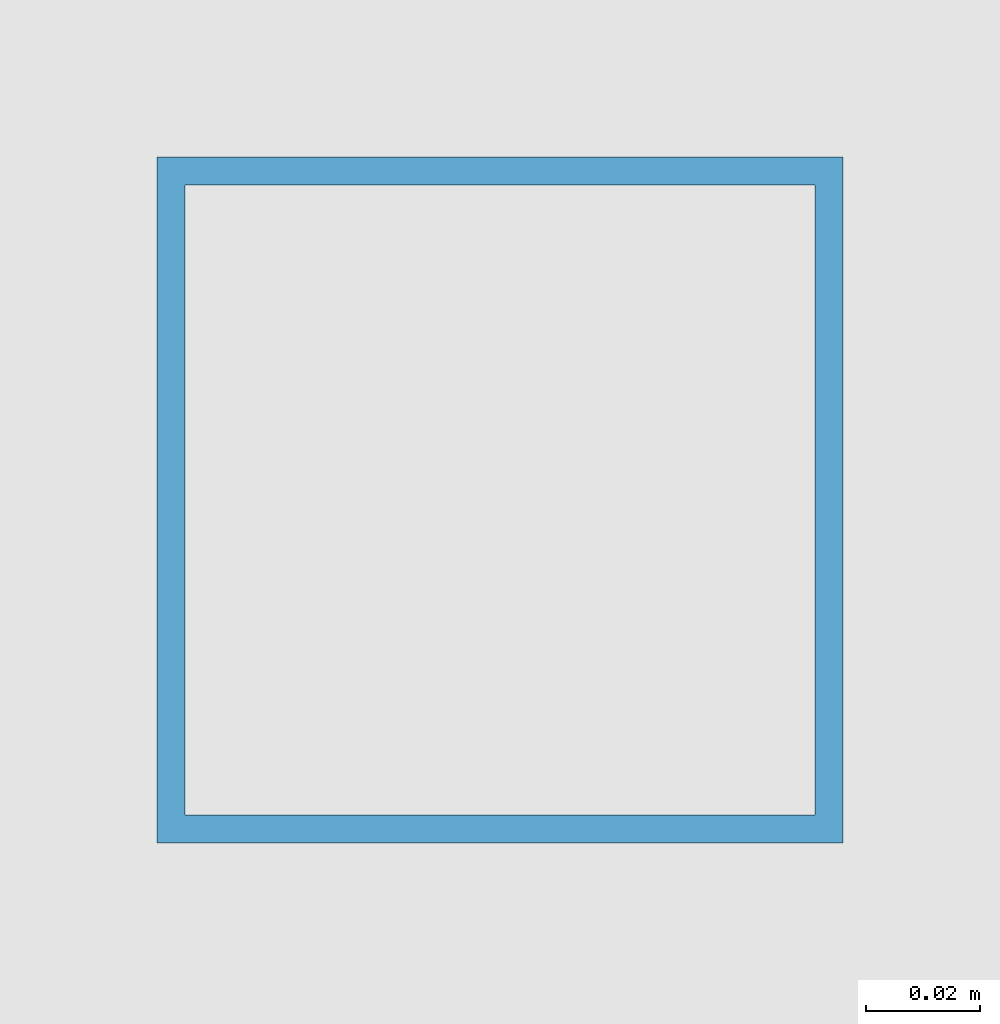
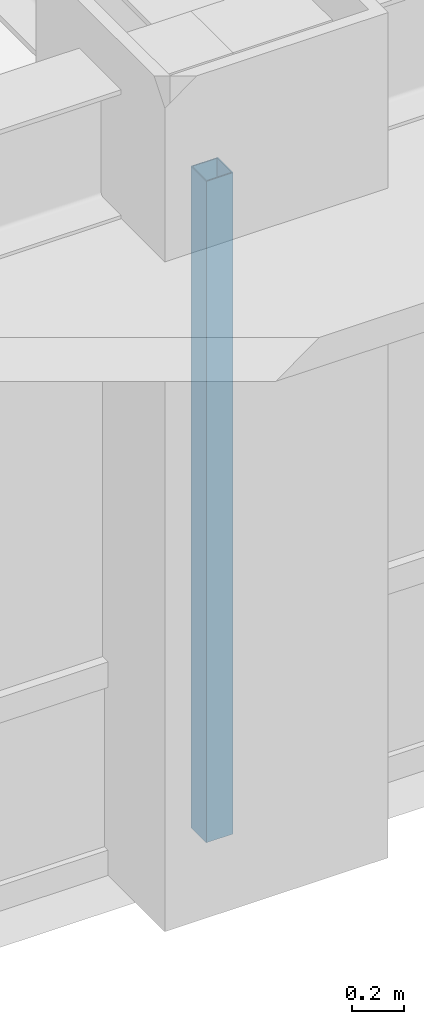
# One storey, part 4 of 29: 1 member, 1 element without a shape of its own.
"""IFC4 building model written with IfcOpenShell, lengths in metres."""

import ifcopenshell
import ifcopenshell.guid

model = None  # the IFC model being written
_history = None  # IfcOwnerHistory: only IFC2X3 demands one
_inside = {}  # id of a spatial element -> (the spatial element, [elements in it])
_under = {}  # id of a project, library or spatial element -> (it, [spatial elements below it])
_declared = {}  # id of a project -> (the project, [libraries it declares])
_typed = {}  # id of a type object -> (the type object, [elements of that type])
_made_of = {}  # id of a material, layer set ... -> (it, [elements and type objects made of it])


def new_model(schema):
    """Start an empty IFC model of exactly this schema.

    Asked for "IFC4X3", IfcOpenShell would pick the latest addendum, in which some entities
    have other attributes; the version numbers below select the first issue.
    IFC2X3 requires an IfcOwnerHistory on every rooted entity: one is made here for all.
    """
    global model, _history
    if schema == "IFC4X3":
        model = ifcopenshell.file(schema_version=(4, 3, 0, 0))
    else:
        model = ifcopenshell.file(schema=schema)
    _inside.clear()
    _under.clear()
    _declared.clear()
    _typed.clear()
    _made_of.clear()
    _history = None
    if model.schema == "IFC2X3":
        org = make("IfcOrganization", Name="unknown")
        user = make(
            "IfcPersonAndOrganization",
            ThePerson=make("IfcPerson", FamilyName="unknown"),
            TheOrganization=org,
        )
        app = make(
            "IfcApplication",
            ApplicationDeveloper=org,
            Version="unknown",
            ApplicationFullName="unknown",
            ApplicationIdentifier="unknown",
        )
        _history = make(
            "IfcOwnerHistory",
            OwningUser=user,
            OwningApplication=app,
            ChangeAction="ADDED",
            CreationDate=0,
        )
    return model


def make(cls, **values):
    """One entity of the class cls with the attributes given. An attribute that is None is left unset."""
    return model.create_entity(
        cls, **{name: value for name, value in values.items() if value is not None}
    )


def rooted(cls, **values):
    """An entity with a GlobalId (a new one), such as an element, a storey or a relation."""
    return make(cls, GlobalId=ifcopenshell.guid.new(), OwnerHistory=_history, **values)


def si_unit(unit_type, name, prefix=None):
    """IfcSIUnit, for example si_unit("LENGTHUNIT", "METRE", prefix="MILLI")."""
    return make("IfcSIUnit", UnitType=unit_type, Prefix=prefix, Name=name)


def assignment(units):
    """IfcUnitAssignment: the units of a project."""
    return None if units is None else make("IfcUnitAssignment", Units=units)


def point(xyz):
    """IfcCartesianPoint."""
    return None if xyz is None else make("IfcCartesianPoint", Coordinates=xyz)


def direction(xyz):
    """IfcDirection."""
    return None if xyz is None else make("IfcDirection", DirectionRatios=xyz)


def frame(location, z_axis=None, x_axis=None):
    """IfcAxis2Placement3D, a coordinate frame: its origin and axes. An axis left out is left unset."""
    return make(
        "IfcAxis2Placement3D",
        Location=point(location),
        Axis=direction(z_axis),
        RefDirection=direction(x_axis),
    )


def frame_2d(location, x_axis=None):
    """IfcAxis2Placement2D, a coordinate frame in the plane: its origin and x axis."""
    return make(
        "IfcAxis2Placement2D", Location=point(location), RefDirection=direction(x_axis)
    )


def origin():
    """The frame at (0, 0, 0) with its axes left unset."""
    return frame((0.0, 0.0, 0.0))


def origin_2d():
    """The frame at (0, 0) in the plane with its x axis left unset."""
    return frame_2d((0.0, 0.0))


def place(relative_to, where):
    """IfcLocalPlacement: puts the frame where relative to a parent placement (None: the world)."""
    return make(
        "IfcLocalPlacement", PlacementRelTo=relative_to, RelativePlacement=where
    )


def context(
    kind, dimensions, precision=None, world=None, true_north=None, identifier=None
):
    """IfcGeometricRepresentationContext, for example the 3D "Model" context."""
    return make(
        "IfcGeometricRepresentationContext",
        ContextIdentifier=identifier,
        ContextType=kind,
        CoordinateSpaceDimension=dimensions,
        Precision=precision,
        WorldCoordinateSystem=world,
        TrueNorth=true_north,
    )


def subcontext(parent, identifier, kind, view, scale=None):
    """IfcGeometricRepresentationSubContext, for example "Body" below "Model"."""
    return make(
        "IfcGeometricRepresentationSubContext",
        ContextIdentifier=identifier,
        ContextType=kind,
        ParentContext=parent,
        TargetScale=scale,
        TargetView=view,
    )


def project(units=None, contexts=None):
    """IfcProject with its units and contexts."""
    return rooted(
        "IfcProject",
        Name="project",
        RepresentationContexts=contexts,
        UnitsInContext=assignment(units),
    )


def spatial(cls, under=None, at=None, **own):
    """A site, building, storey or space (cls), placed at a placement, below another one or the project."""
    s = rooted(cls, ObjectPlacement=at, **own)
    if under is not None:
        _under.setdefault(under.id(), (under, []))[1].append(s)
    return s


def profile(cls, at=None, kind="AREA", **sizes):
    """A parametric profile (cls). Its sizes go by their IFC names, for example OverallWidth=200.0."""
    return make(cls, ProfileType=kind, Position=at, **sizes)


def hollow_rectangle(**sizes):
    """IfcRectangleHollowProfileDef."""
    return profile("IfcRectangleHollowProfileDef", **sizes)


def extrude(swept, where, along, depth):
    """IfcExtrudedAreaSolid: the profile swept, set in the frame where, extruded along a direction by depth."""
    return make(
        "IfcExtrudedAreaSolid",
        SweptArea=swept,
        Position=where,
        ExtrudedDirection=direction(along),
        Depth=depth,
    )


def shape(context_of_items, identifier, shape_type, items):
    """IfcShapeRepresentation: the items that make up one representation, for example the "Body"."""
    return make(
        "IfcShapeRepresentation",
        ContextOfItems=context_of_items,
        RepresentationIdentifier=identifier,
        RepresentationType=shape_type,
        Items=items,
    )


def source(mapping_origin, context_of_items, identifier, shape_type, items):
    """IfcRepresentationMap: a shape defined once, which mapped items show again and again."""
    return make(
        "IfcRepresentationMap",
        MappingOrigin=mapping_origin,
        MappedRepresentation=shape(context_of_items, identifier, shape_type, items),
    )


def transform(
    local_origin,
    x_axis=None,
    y_axis=None,
    z_axis=None,
    scale=None,
    scale2=None,
    scale3=None,
    uniform=True,
):
    """IfcCartesianTransformationOperator3D, or its non-uniform kind. x_axis, y_axis, z_axis: its Axis1, 2, 3."""
    if uniform:
        return make(
            "IfcCartesianTransformationOperator3D",
            Axis1=direction(x_axis),
            Axis2=direction(y_axis),
            LocalOrigin=point(local_origin),
            Scale=scale,
            Axis3=direction(z_axis),
        )
    return make(
        "IfcCartesianTransformationOperator3DnonUniform",
        Axis1=direction(x_axis),
        Axis2=direction(y_axis),
        LocalOrigin=point(local_origin),
        Scale=scale,
        Axis3=direction(z_axis),
        Scale2=scale2,
        Scale3=scale3,
    )


def mapped(mapping_source, mapping_target):
    """IfcMappedItem: shows the shape of a source again, moved by a transform."""
    return make(
        "IfcMappedItem", MappingSource=mapping_source, MappingTarget=mapping_target
    )


def material(Name=None, Category=None):
    """IfcMaterial."""
    return make("IfcMaterial", Name=Name, Category=Category)


def material_profile(
    of_material, cross_section, Name=None, Category=None, Priority=None
):
    """IfcMaterialProfile: a cross section and its material."""
    return make(
        "IfcMaterialProfile",
        Name=Name,
        Material=of_material,
        Profile=cross_section,
        Priority=Priority,
        Category=Category,
    )


def profile_set(profiles, Name=None, composite=None):
    """IfcMaterialProfileSet."""
    return make(
        "IfcMaterialProfileSet",
        Name=Name,
        MaterialProfiles=profiles,
        CompositeProfile=composite,
    )


def made_of(thing, what):
    """Note that an element or type object is made of a material, layer set ...; save() writes the relation."""
    if what is not None:
        _made_of.setdefault(what.id(), (what, []))[1].append(thing)
    return thing


def type_object(cls, material=None, **own):
    """A type object (cls), such as IfcWallType, which elements share."""
    return made_of(rooted(cls, **own), material)


def element(
    cls,
    number,
    at=None,
    inside=None,
    cuts=None,
    type_object=None,
    material=None,
    context=None,
    identifier="Body",
    shape_type=None,
    held_by="IfcProductDefinitionShape",
    body=None,
    shapes=None,
    **own,
):
    """One element of the class cls, such as IfcWall. Its Tag is "e" and its number.

    at: its placement. inside: the storey or other place that contains it. cuts: it is an
    opening in that element (IfcRelVoidsElement). A single representation is given by context,
    identifier, shape_type and body (its items); several are given by shapes. held_by: the class
    of the entity that holds the representations. save() writes the other relations.
    """
    e = rooted(cls, Tag="e%d" % number, ObjectPlacement=at, **own)
    if body is not None:
        shapes = [shape(context, identifier, shape_type, body)]
    if shapes is not None:
        e.Representation = make(held_by, Representations=shapes)
    if inside is not None:
        _inside.setdefault(inside.id(), (inside, []))[1].append(e)
    if cuts is not None:
        rooted(
            "IfcRelVoidsElement", RelatingBuildingElement=cuts, RelatedOpeningElement=e
        )
    if type_object is not None:
        _typed.setdefault(type_object.id(), (type_object, []))[1].append(e)
    return made_of(e, material)


def aggregate(whole, parts):
    """IfcRelAggregates: a whole, such as a stair, and the parts it consists of."""
    return rooted("IfcRelAggregates", RelatingObject=whole, RelatedObjects=parts)


def save(model, path):
    """Write the relations noted so far, then the file.

    IfcRelAggregates (storeys below a building ...), IfcRelContainedInSpatialStructure (elements
    in a storey), IfcRelDefinesByType, IfcRelAssociatesMaterial and IfcRelDeclares: one each for
    every whole, place, type object, material and project.
    """
    for whole, parts in _under.values():
        aggregate(whole, parts)
    for where, things in _inside.values():
        rooted(
            "IfcRelContainedInSpatialStructure",
            RelatedElements=things,
            RelatingStructure=where,
        )
    for kind, things in _typed.values():
        rooted("IfcRelDefinesByType", RelatedObjects=things, RelatingType=kind)
    for what, things in _made_of.values():
        rooted("IfcRelAssociatesMaterial", RelatedObjects=things, RelatingMaterial=what)
    for by, libraries in _declared.values():
        rooted("IfcRelDeclares", RelatingContext=by, RelatedDefinitions=libraries)
    model.write(path)


model = new_model("IFC4")

# Units and contexts
model_context = context("Model", 3, precision=1e-05, world=origin(), true_north=direction((0.0, 1.0)))
body_context = subcontext(model_context, "Body", "Model", "MODEL_VIEW")
ifc_project = project(units=[si_unit("LENGTHUNIT", "METRE"), si_unit("AREAUNIT", "SQUARE_METRE"), si_unit("VOLUMEUNIT", "CUBIC_METRE"), si_unit("PLANEANGLEUNIT", "RADIAN"), si_unit("MASSUNIT", "GRAM", prefix="KILO")], contexts=[model_context])

# Site, building, storey
site_placement = place(None, origin())
site = spatial("IfcSite", under=ifc_project, at=site_placement, CompositionType="ELEMENT")
building_placement = place(site_placement, origin())
building = spatial("IfcBuilding", under=site, at=building_placement, Name="Khorayat Bourse Tower", CompositionType="ELEMENT")
storey_placement = place(building_placement, frame((0.0, 0.0, 235.10009765625)))
storey = spatial("IfcBuildingStorey", under=building, at=storey_placement, Name="L55", CompositionType="ELEMENT", Elevation=235.10009765625)

# Curtain wall, member
ifc_material = material(Name="Aluminium EN AW-6063 T6", Category="aluminium")
curtain_wall_type = type_object("IfcCurtainWallType", Name="CW-SYS-03", PredefinedType="NOTDEFINED", material=ifc_material)
curtain_wall_placement = place(storey_placement, origin())
curtain_wall = element("IfcCurtainWall", 1, at=curtain_wall_placement, inside=storey, type_object=curtain_wall_type, Name="L55 Curtain Wall CW-L55-S1", PredefinedType="NOTDEFINED")
ifc_material_profile = material_profile(ifc_material, hollow_rectangle(XDim=0.1201171875, YDim=0.1201171875, WallThickness=0.0048828125, at=origin_2d()), Name="ALU 120x120x5")
ifc_profile_set = profile_set([ifc_material_profile], Name="Aluminium EN AW-6063 T6")
member_type = type_object("IfcMemberType", Name="CWM-VERT-120", PredefinedType="MULLION", material=ifc_profile_set)
shared_shape = source(origin(), body_context, "Body", "SweptSolid", [
    extrude(hollow_rectangle(XDim=0.1201171875, YDim=0.1201171875, WallThickness=0.0048828125, at=origin_2d()), origin(), (0.0, 0.0, 1.0), 3.1298828125),
])
member_placement = place(storey_placement, frame((0.0, -30.0, 0.0), z_axis=(0.0, 0.0, 1.0), x_axis=(0.0, 1.0, 0.0)))
member = element("IfcMember", 2, at=member_placement, type_object=member_type, Name="CW-L55-S1 Vertical Mullion 2", PredefinedType="MULLION", context=body_context, shape_type="MappedRepresentation", body=[
    mapped(shared_shape, transform((0.0, 0.0, 0.0), scale=1.0)),
])
aggregate(curtain_wall, [member])

save(model, "model.ifc")
